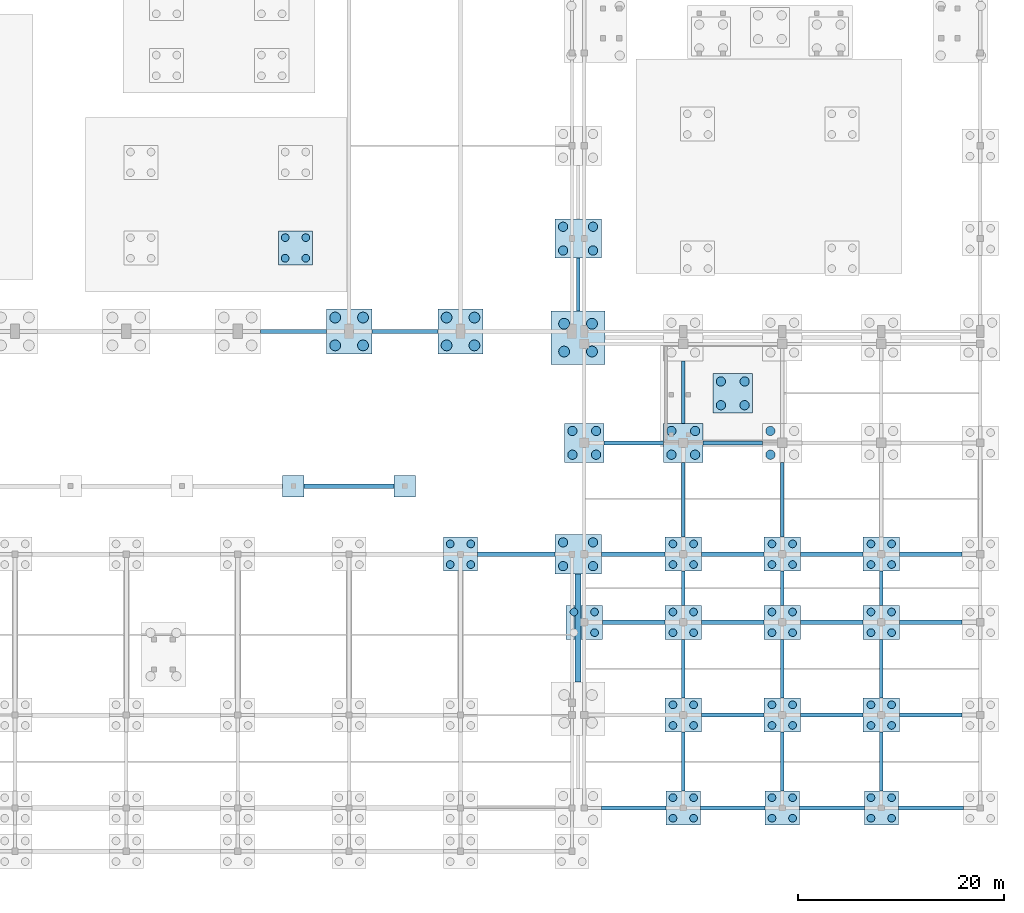
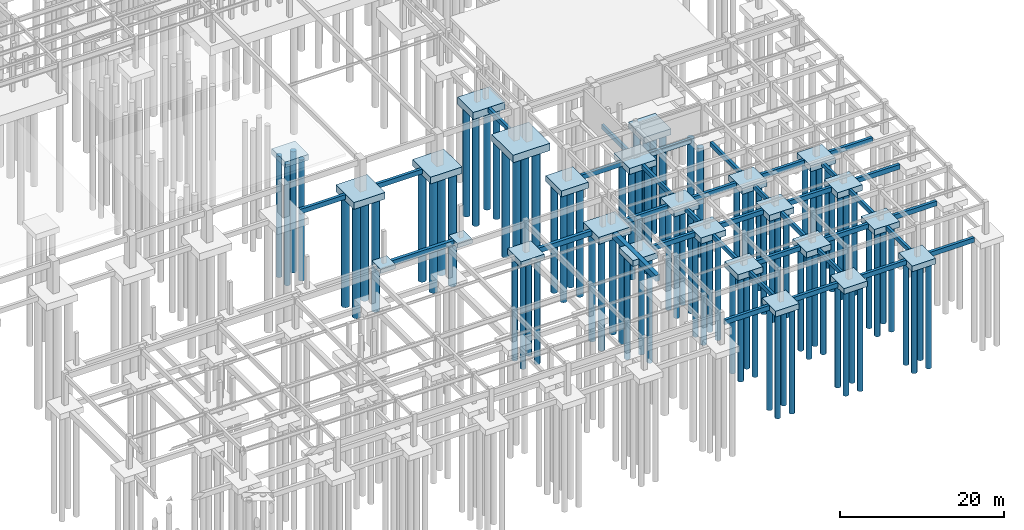
# One storey, part 8 of 33: 93 piles, 60 footings.
"""IFC4 building model written with IfcOpenShell, lengths in metres."""

from ifc_helpers import new_model, si_unit, direction, frame, origin, origin_2d, place, context, subcontext, project, spatial, rectangle, circle, extrude, material, material_profile, profile_set, type_object, element, save


model = new_model("IFC4")

# Units and contexts
model_context = context("Model", 3, precision=1e-05, world=origin(), true_north=direction((0.0, 1.0)))
body_context = subcontext(model_context, "Body", "Model", "MODEL_VIEW")
ifc_project = project(units=[si_unit("LENGTHUNIT", "METRE"), si_unit("AREAUNIT", "SQUARE_METRE"), si_unit("VOLUMEUNIT", "CUBIC_METRE"), si_unit("PLANEANGLEUNIT", "RADIAN"), si_unit("MASSUNIT", "GRAM", prefix="KILO")], contexts=[model_context])

# Site, building, storey
site_placement = place(None, origin())
site = spatial("IfcSite", under=ifc_project, at=site_placement, CompositionType="ELEMENT")
building_placement = place(site_placement, origin())
building = spatial("IfcBuilding", under=site, at=building_placement, Name="Suirenkawa Promenade Aquatics Centre", CompositionType="ELEMENT")
storey_placement = place(building_placement, frame((0.0, 0.0, -4.800048828125)))
storey = spatial("IfcBuildingStorey", under=building, at=storey_placement, Name="B1", CompositionType="ELEMENT", Elevation=-4.800048828125)

# Footings
ifc_material = material(Name="Concrete M35", Category="concrete")
footing_type_1 = type_object("IfcFootingType", Name="FT-GB-350x650", PredefinedType="FOOTING_BEAM", material=ifc_material)
footing_1_placement = place(storey_placement, frame((155.39990234375, 54.949951171875, -0.64990234375), z_axis=(0.0, 0.0, 1.0), x_axis=(0.0, 1.0, 0.0)))
element("IfcFooting", 1, at=footing_1_placement, inside=storey, type_object=footing_type_1, Name="Ground tie beam GB-06 GB-0286", PredefinedType="FOOTING_BEAM", context=body_context, shape_type="SweptSolid", body=[
    extrude(rectangle(XDim=5.10009765625, YDim=0.35009765625, at=origin_2d()), origin(), (0.0, 0.0, 1.0), 0.64990234375),
])
for number, where, z_axis, x_axis, name in (
    (2, (165.60009765625, 8.699951171875, -0.64990234375), (0.0, 0.0, 1.0), (0.0, 1.0, 0.0), "Ground tie beam GB-06 GB-0288"),
    (3, (165.60009765625, 17.699951171875, -0.64990234375), (0.0, 0.0, 1.0), (0.0, 1.0, 0.0), "Ground tie beam GB-06 GB-0289"),
):
    element("IfcFooting", number, at=place(storey_placement, frame(where, z_axis=z_axis, x_axis=x_axis)), inside=storey, type_object=footing_type_1, Name=name, PredefinedType="FOOTING_BEAM", context=body_context, shape_type="SweptSolid", body=[
        extrude(rectangle(XDim=5.699951171875, YDim=0.35009765625, at=origin_2d()), origin(), (0.0, 0.0, 1.0), 0.64990234375),
    ])
footing_2_placement = place(storey_placement, frame((165.60009765625, 25.5, -0.64990234375), z_axis=(0.0, 0.0, 1.0), x_axis=(0.0, 1.0, 0.0)))
element("IfcFooting", 4, at=footing_2_placement, inside=storey, type_object=footing_type_1, Name="Ground tie beam GB-06 GB-0290", PredefinedType="FOOTING_BEAM", context=body_context, shape_type="SweptSolid", body=[
    extrude(rectangle(XDim=3.300048828125, YDim=0.35009765625, at=origin_2d()), origin(), (0.0, 0.0, 1.0), 0.64990234375),
])
footing_3_placement = place(storey_placement, frame((165.60009765625, 34.074951171875, -0.64990234375), z_axis=(0.0, 0.0, 1.0), x_axis=(0.0, 1.0, 0.0)))
element("IfcFooting", 5, at=footing_3_placement, inside=storey, type_object=footing_type_1, Name="Ground tie beam GB-06 GB-0291", PredefinedType="FOOTING_BEAM", context=body_context, shape_type="SweptSolid", body=[
    extrude(rectangle(XDim=7.25, YDim=0.35009765625, at=origin_2d()), origin(), (0.0, 0.0, 1.0), 0.64990234375),
])
footing_4_placement = place(storey_placement, frame((165.60009765625, 44.52490234375, -0.64990234375), z_axis=(0.0, 0.0, 1.0), x_axis=(0.0, 1.0, 0.0)))
element("IfcFooting", 6, at=footing_4_placement, inside=storey, type_object=footing_type_1, Name="Ground tie beam GB-06 GB-0292", PredefinedType="FOOTING_BEAM", context=body_context, shape_type="SweptSolid", body=[
    extrude(rectangle(XDim=6.050048828125, YDim=0.35009765625, at=origin_2d()), origin(), (0.0, 0.0, 1.0), 0.64990234375),
])
for number, where, z_axis, x_axis, name in (
    (7, (175.199951171875, 8.699951171875, -0.64990234375), (0.0, 0.0, 1.0), (0.0, 1.0, 0.0), "Ground tie beam GB-06 GB-0294"),
    (8, (175.199951171875, 17.699951171875, -0.64990234375), (0.0, 0.0, 1.0), (0.0, 1.0, 0.0), "Ground tie beam GB-06 GB-0295"),
):
    element("IfcFooting", number, at=place(storey_placement, frame(where, z_axis=z_axis, x_axis=x_axis)), inside=storey, type_object=footing_type_1, Name=name, PredefinedType="FOOTING_BEAM", context=body_context, shape_type="SweptSolid", body=[
        extrude(rectangle(XDim=5.699951171875, YDim=0.35009765625, at=origin_2d()), origin(), (0.0, 0.0, 1.0), 0.64990234375),
    ])
footing_5_placement = place(storey_placement, frame((175.199951171875, 25.5, -0.64990234375), z_axis=(0.0, 0.0, 1.0), x_axis=(0.0, 1.0, 0.0)))
element("IfcFooting", 9, at=footing_5_placement, inside=storey, type_object=footing_type_1, Name="Ground tie beam GB-06 GB-0296", PredefinedType="FOOTING_BEAM", context=body_context, shape_type="SweptSolid", body=[
    extrude(rectangle(XDim=3.300048828125, YDim=0.35009765625, at=origin_2d()), origin(), (0.0, 0.0, 1.0), 0.64990234375),
])
footing_6_placement = place(storey_placement, frame((175.199951171875, 34.074951171875, -0.64990234375), z_axis=(0.0, 0.0, 1.0), x_axis=(0.0, 1.0, 0.0)))
element("IfcFooting", 10, at=footing_6_placement, inside=storey, type_object=footing_type_1, Name="Ground tie beam GB-06 GB-0297", PredefinedType="FOOTING_BEAM", context=body_context, shape_type="SweptSolid", body=[
    extrude(rectangle(XDim=7.25, YDim=0.35009765625, at=origin_2d()), origin(), (0.0, 0.0, 1.0), 0.64990234375),
])
for number, where, z_axis, x_axis, name in (
    (11, (184.800048828125, 8.699951171875, -0.64990234375), (0.0, 0.0, 1.0), (0.0, 1.0, 0.0), "Ground tie beam GB-06 GB-0300"),
    (12, (184.800048828125, 17.699951171875, -0.64990234375), (0.0, 0.0, 1.0), (0.0, 1.0, 0.0), "Ground tie beam GB-06 GB-0301"),
):
    element("IfcFooting", number, at=place(storey_placement, frame(where, z_axis=z_axis, x_axis=x_axis)), inside=storey, type_object=footing_type_1, Name=name, PredefinedType="FOOTING_BEAM", context=body_context, shape_type="SweptSolid", body=[
        extrude(rectangle(XDim=5.699951171875, YDim=0.35009765625, at=origin_2d()), origin(), (0.0, 0.0, 1.0), 0.64990234375),
    ])
footing_7_placement = place(storey_placement, frame((184.800048828125, 25.5, -0.64990234375), z_axis=(0.0, 0.0, 1.0), x_axis=(0.0, 1.0, 0.0)))
element("IfcFooting", 13, at=footing_7_placement, inside=storey, type_object=footing_type_1, Name="Ground tie beam GB-06 GB-0302", PredefinedType="FOOTING_BEAM", context=body_context, shape_type="SweptSolid", body=[
    extrude(rectangle(XDim=3.300048828125, YDim=0.35009765625, at=origin_2d()), origin(), (0.0, 0.0, 1.0), 0.64990234375),
])
footing_type_2 = type_object("IfcFootingType", Name="FT-GB-400x700", PredefinedType="FOOTING_BEAM", material=ifc_material)
for number, where, z_axis, x_axis, name in (
    (14, (160.800048828125, 4.199951171875, -0.69970703125), (0.0, 0.0, 1.0), (1.0, 0.0, 0.0), "Ground tie beam GB-01 GB-0025"),
    (15, (170.39990234375, 4.199951171875, -0.69970703125), (0.0, 0.0, 1.0), (1.0, 0.0, 0.0), "Ground tie beam GB-01 GB-0026"),
    (16, (180.0, 4.199951171875, -0.69970703125), (0.0, 0.0, 1.0), (1.0, 0.0, 0.0), "Ground tie beam GB-01 GB-0027"),
    (17, (189.60009765625, 4.199951171875, -0.69970703125), (0.0, 0.0, 1.0), (1.0, 0.0, 0.0), "Ground tie beam GB-01 GB-0028"),
):
    element("IfcFooting", number, at=place(storey_placement, frame(where, z_axis=z_axis, x_axis=x_axis)), inside=storey, type_object=footing_type_2, Name=name, PredefinedType="FOOTING_BEAM", context=body_context, shape_type="SweptSolid", body=[
        extrude(rectangle(XDim=6.300048828125, YDim=0.39990234375, at=origin_2d()), origin(), (0.0, 0.0, 1.0), 0.699951171875),
    ])
for number, where, z_axis, x_axis, name in (
    (18, (170.39990234375, 13.199951171875, -0.69970703125), (0.0, 0.0, 1.0), (1.0, 0.0, 0.0), "Ground tie beam GB-01 GB-0040"),
    (19, (180.0, 13.199951171875, -0.69970703125), (0.0, 0.0, 1.0), (1.0, 0.0, 0.0), "Ground tie beam GB-01 GB-0041"),
    (20, (189.60009765625, 13.199951171875, -0.69970703125), (0.0, 0.0, 1.0), (1.0, 0.0, 0.0), "Ground tie beam GB-01 GB-0042"),
    (21, (160.800048828125, 22.199951171875, -0.69970703125), (0.0, 0.0, 1.0), (1.0, 0.0, 0.0), "Ground tie beam GB-01 GB-0048"),
    (22, (170.39990234375, 22.199951171875, -0.69970703125), (0.0, 0.0, 1.0), (1.0, 0.0, 0.0), "Ground tie beam GB-01 GB-0049"),
    (23, (180.0, 22.199951171875, -0.69970703125), (0.0, 0.0, 1.0), (1.0, 0.0, 0.0), "Ground tie beam GB-01 GB-0050"),
    (24, (189.60009765625, 22.199951171875, -0.69970703125), (0.0, 0.0, 1.0), (1.0, 0.0, 0.0), "Ground tie beam GB-01 GB-0051"),
):
    element("IfcFooting", number, at=place(storey_placement, frame(where, z_axis=z_axis, x_axis=x_axis)), inside=storey, type_object=footing_type_2, Name=name, PredefinedType="FOOTING_BEAM", context=body_context, shape_type="SweptSolid", body=[
        extrude(rectangle(XDim=6.10009765625, YDim=0.39990234375, at=origin_2d()), origin(), (0.0, 0.0, 1.0), 0.699951171875),
    ])
footing_8_placement = place(storey_placement, frame((160.75, 28.800048828125, -0.69970703125), z_axis=(0.0, 0.0, 1.0), x_axis=(1.0, 0.0, 0.0)))
element("IfcFooting", 25, at=footing_8_placement, inside=storey, type_object=footing_type_2, Name="Ground tie beam GB-01 GB-0063", PredefinedType="FOOTING_BEAM", context=body_context, shape_type="SweptSolid", body=[
    extrude(rectangle(XDim=6.199951171875, YDim=0.39990234375, at=origin_2d()), origin(), (0.0, 0.0, 1.0), 0.699951171875),
])
for number, where, z_axis, x_axis, name in (
    (26, (170.39990234375, 28.800048828125, -0.69970703125), (0.0, 0.0, 1.0), (1.0, 0.0, 0.0), "Ground tie beam GB-01 GB-0064"),
    (27, (180.0, 28.800048828125, -0.69970703125), (0.0, 0.0, 1.0), (1.0, 0.0, 0.0), "Ground tie beam GB-01 GB-0065"),
    (28, (189.60009765625, 28.800048828125, -0.69970703125), (0.0, 0.0, 1.0), (1.0, 0.0, 0.0), "Ground tie beam GB-01 GB-0066"),
):
    element("IfcFooting", number, at=place(storey_placement, frame(where, z_axis=z_axis, x_axis=x_axis)), inside=storey, type_object=footing_type_2, Name=name, PredefinedType="FOOTING_BEAM", context=body_context, shape_type="SweptSolid", body=[
        extrude(rectangle(XDim=6.10009765625, YDim=0.39990234375, at=origin_2d()), origin(), (0.0, 0.0, 1.0), 0.699951171875),
    ])
for number, where, z_axis, x_axis, name in (
    (29, (160.800048828125, 39.60009765625, -0.69970703125), (0.0, 0.0, 1.0), (1.0, 0.0, 0.0), "Ground tie beam GB-01 GB-0077"),
    (30, (170.39990234375, 39.60009765625, -0.69970703125), (0.0, 0.0, 1.0), (1.0, 0.0, 0.0), "Ground tie beam GB-01 GB-0078"),
):
    element("IfcFooting", number, at=place(storey_placement, frame(where, z_axis=z_axis, x_axis=x_axis)), inside=storey, type_object=footing_type_2, Name=name, PredefinedType="FOOTING_BEAM", context=body_context, shape_type="SweptSolid", body=[
        extrude(rectangle(XDim=5.800048828125, YDim=0.39990234375, at=origin_2d()), origin(), (0.0, 0.0, 1.0), 0.699951171875),
    ])
for number, where, z_axis, x_axis, name in (
    (31, (127.800048828125, 50.39990234375, -0.69970703125), (0.0, 0.0, 1.0), (1.0, 0.0, 0.0), "Ground tie beam GB-01 GB-0094"),
    (32, (138.60009765625, 50.39990234375, -0.69970703125), (0.0, 0.0, 1.0), (1.0, 0.0, 0.0), "Ground tie beam GB-01 GB-0095"),
):
    element("IfcFooting", number, at=place(storey_placement, frame(where, z_axis=z_axis, x_axis=x_axis)), inside=storey, type_object=footing_type_2, Name=name, PredefinedType="FOOTING_BEAM", context=body_context, shape_type="SweptSolid", body=[
        extrude(rectangle(XDim=6.39990234375, YDim=0.39990234375, at=origin_2d()), origin(), (0.0, 0.0, 1.0), 0.699951171875),
    ])
footing_type_3 = type_object("IfcFootingType", Name="FT-GB-450x750", PredefinedType="FOOTING_BEAM", material=ifc_material)
footing_9_placement = place(storey_placement, frame((149.39990234375, 28.800048828125, -0.75), z_axis=(0.0, 0.0, 1.0), x_axis=(1.0, 0.0, 0.0)))
element("IfcFooting", 33, at=footing_9_placement, inside=storey, type_object=footing_type_3, Name="Ground tie beam GB-02 GB-0062", PredefinedType="FOOTING_BEAM", context=body_context, shape_type="SweptSolid", body=[
    extrude(rectangle(XDim=7.5, YDim=0.449951171875, at=origin_2d()), origin(), (0.0, 0.0, 1.0), 0.75),
])
footing_10_placement = place(storey_placement, frame((133.199951171875, 35.39990234375, -0.75), z_axis=(0.0, 0.0, 1.0), x_axis=(1.0, 0.0, 0.0)))
element("IfcFooting", 34, at=footing_10_placement, inside=storey, type_object=footing_type_3, Name="Ground tie beam GB-02 GB-0071", PredefinedType="FOOTING_BEAM", context=body_context, shape_type="SweptSolid", body=[
    extrude(rectangle(XDim=8.699951171875, YDim=0.449951171875, at=origin_2d()), origin(), (0.0, 0.0, 1.0), 0.75),
])
footing_type_4 = type_object("IfcFootingType", Name="FT-GB-600x900", PredefinedType="FOOTING_BEAM", material=ifc_material)
footing_11_placement = place(storey_placement, frame((155.39990234375, 21.64990234375, -0.89990234375), z_axis=(0.0, 0.0, 1.0), x_axis=(0.0, 1.0, 0.0)))
element("IfcFooting", 35, at=footing_11_placement, inside=storey, type_object=footing_type_4, Name="Ground tie beam GB-05 GB-0285", PredefinedType="FOOTING_BEAM", context=body_context, shape_type="SweptSolid", body=[
    extrude(rectangle(XDim=10.5, YDim=0.60009765625, at=origin_2d()), origin(), (0.0, 0.0, 1.0), 0.89990234375),
])
footing_type_5 = type_object("IfcFootingType", Name="FT-PAD-2100x2100x650", PredefinedType="PAD_FOOTING", material=ifc_material)
for number, where, z_axis, x_axis, name in (
    (36, (127.800048828125, 35.39990234375, -0.64990234375), (0.0, 0.0, 1.0), (1.0, 0.0, 0.0), "Foundation PF-02 CAP-086"),
    (37, (138.60009765625, 35.39990234375, -0.64990234375), (0.0, 0.0, 1.0), (1.0, 0.0, 0.0), "Foundation PF-02 CAP-087"),
):
    element("IfcFooting", number, at=place(storey_placement, frame(where, z_axis=z_axis, x_axis=x_axis)), inside=storey, type_object=footing_type_5, Name=name, PredefinedType="PAD_FOOTING", context=body_context, shape_type="SweptSolid", body=[
        extrude(rectangle(XDim=2.10009765625, YDim=2.10009765625, at=origin_2d()), origin(), (0.0, 0.0, 1.0), 0.64990234375),
    ])
footing_type_6 = type_object("IfcFootingType", Name="FT-PC-3300x3300x850", PredefinedType="PILE_CAP", material=ifc_material)
for number, where, z_axis, x_axis, name in (
    (38, (165.60009765625, 4.199951171875, -0.85009765625), (0.0, 0.0, 1.0), (1.0, 0.0, 0.0), "Foundation PC-02 CAP-029"),
    (39, (175.199951171875, 4.199951171875, -0.85009765625), (0.0, 0.0, 1.0), (1.0, 0.0, 0.0), "Foundation PC-02 CAP-030"),
    (40, (184.800048828125, 4.199951171875, -0.85009765625), (0.0, 0.0, 1.0), (1.0, 0.0, 0.0), "Foundation PC-02 CAP-031"),
    (41, (144.0, 28.800048828125, -0.85009765625), (0.0, 0.0, 1.0), (1.0, 0.0, 0.0), "Foundation PC-02 CAP-076"),
):
    element("IfcFooting", number, at=place(storey_placement, frame(where, z_axis=z_axis, x_axis=x_axis)), inside=storey, type_object=footing_type_6, Name=name, PredefinedType="PILE_CAP", context=body_context, shape_type="SweptSolid", body=[
        extrude(rectangle(XDim=3.300048828125, YDim=3.300048828125, at=origin_2d()), origin(), (0.0, 0.0, 1.0), 0.85009765625),
    ])
footing_type_7 = type_object("IfcFootingType", Name="FT-PC-3500x3300x880", PredefinedType="PILE_CAP", material=ifc_material)
for number, where, z_axis, x_axis, name in (
    (42, (165.60009765625, 13.199951171875, -0.8798828125), (0.0, 0.0, 1.0), (1.0, 0.0, 0.0), "Foundation PC-03 CAP-047"),
    (43, (175.199951171875, 13.199951171875, -0.8798828125), (0.0, 0.0, 1.0), (1.0, 0.0, 0.0), "Foundation PC-03 CAP-048"),
    (44, (184.800048828125, 13.199951171875, -0.8798828125), (0.0, 0.0, 1.0), (1.0, 0.0, 0.0), "Foundation PC-03 CAP-049"),
    (45, (156.0, 22.199951171875, -0.8798828125), (0.0, 0.0, 1.0), (1.0, 0.0, 0.0), "Foundation PC-03 CAP-059"),
    (46, (165.60009765625, 22.199951171875, -0.8798828125), (0.0, 0.0, 1.0), (1.0, 0.0, 0.0), "Foundation PC-03 CAP-060"),
    (47, (175.199951171875, 22.199951171875, -0.8798828125), (0.0, 0.0, 1.0), (1.0, 0.0, 0.0), "Foundation PC-03 CAP-061"),
    (48, (184.800048828125, 22.199951171875, -0.8798828125), (0.0, 0.0, 1.0), (1.0, 0.0, 0.0), "Foundation PC-03 CAP-062"),
    (49, (165.60009765625, 28.800048828125, -0.8798828125), (0.0, 0.0, 1.0), (1.0, 0.0, 0.0), "Foundation PC-03 CAP-078"),
    (50, (175.199951171875, 28.800048828125, -0.8798828125), (0.0, 0.0, 1.0), (1.0, 0.0, 0.0), "Foundation PC-03 CAP-079"),
    (51, (184.800048828125, 28.800048828125, -0.8798828125), (0.0, 0.0, 1.0), (1.0, 0.0, 0.0), "Foundation PC-03 CAP-080"),
):
    element("IfcFooting", number, at=place(storey_placement, frame(where, z_axis=z_axis, x_axis=x_axis)), inside=storey, type_object=footing_type_7, Name=name, PredefinedType="PILE_CAP", context=body_context, shape_type="SweptSolid", body=[
        extrude(rectangle(XDim=3.5, YDim=3.300048828125, at=origin_2d()), origin(), (0.0, 0.0, 1.0), 0.8798828125),
    ])
footing_type_8 = type_object("IfcFootingType", Name="FT-PC-3800x3800x900", PredefinedType="PILE_CAP", material=ifc_material)
for number, where, z_axis, x_axis, name in (
    (52, (156.0, 39.60009765625, -0.89990234375), (0.0, 0.0, 1.0), (1.0, 0.0, 0.0), "Foundation PC-04 CAP-094"),
    (53, (165.60009765625, 39.60009765625, -0.89990234375), (0.0, 0.0, 1.0), (1.0, 0.0, 0.0), "Foundation PC-04 CAP-095"),
    (54, (170.39990234375, 44.39990234375, -0.89990234375), (0.0, 0.0, 1.0), (1.0, 0.0, 0.0), "Foundation PC-04 CAP-247"),
):
    element("IfcFooting", number, at=place(storey_placement, frame(where, z_axis=z_axis, x_axis=x_axis)), inside=storey, type_object=footing_type_8, Name=name, PredefinedType="PILE_CAP", context=body_context, shape_type="SweptSolid", body=[
        extrude(rectangle(XDim=3.800048828125, YDim=3.800048828125, at=origin_2d()), origin(), (0.0, 0.0, 1.0), 0.89990234375),
    ])
footing_type_9 = type_object("IfcFootingType", Name="FT-PC-4400x4400x1000", PredefinedType="PILE_CAP", material=ifc_material)
for number, where, z_axis, x_axis, name in (
    (55, (133.199951171875, 50.39990234375, -1.0), (0.0, 0.0, 1.0), (1.0, 0.0, 0.0), "Foundation PC-06 CAP-117"),
    (56, (144.0, 50.39990234375, -1.0), (0.0, 0.0, 1.0), (1.0, 0.0, 0.0), "Foundation PC-06 CAP-118"),
):
    element("IfcFooting", number, at=place(storey_placement, frame(where, z_axis=z_axis, x_axis=x_axis)), inside=storey, type_object=footing_type_9, Name=name, PredefinedType="PILE_CAP", context=body_context, shape_type="SweptSolid", body=[
        extrude(rectangle(XDim=4.39990234375, YDim=4.39990234375, at=origin_2d()), origin(), (0.0, 0.0, 1.0), 1.0),
    ])
footing_type_10 = type_object("IfcFootingType", Name="FT-PC-TRAIN-3300x3300x850", PredefinedType="PILE_CAP", material=ifc_material)
footing_12_placement = place(storey_placement, frame((128.0, 58.5, 1.570068359375), z_axis=(0.0, 0.0, 1.0), x_axis=(1.0, 0.0, 0.0)))
element("IfcFooting", 57, at=footing_12_placement, inside=storey, type_object=footing_type_10, Name="Foundation PC-09 CAP-231", PredefinedType="PILE_CAP", context=body_context, shape_type="SweptSolid", body=[
    extrude(rectangle(XDim=3.300048828125, YDim=3.300048828125, at=origin_2d()), origin(), (0.0, 0.0, 1.0), 0.85009765625),
])
footing_type_11 = type_object("IfcFootingType", Name="FT-PCC-4500x3800x1050", PredefinedType="PILE_CAP", material=ifc_material)
for number, where, z_axis, x_axis, name in (
    (58, (155.39990234375, 28.800048828125, -1.0498046875), (0.0, 0.0, 1.0), (1.0, 0.0, 0.0), "Foundation PCC-01 CAP-077"),
    (59, (155.39990234375, 59.39990234375, -1.0498046875), (0.0, 0.0, 1.0), (1.0, 0.0, 0.0), "Foundation PCC-01 CAP-125"),
):
    element("IfcFooting", number, at=place(storey_placement, frame(where, z_axis=z_axis, x_axis=x_axis)), inside=storey, type_object=footing_type_11, Name=name, PredefinedType="PILE_CAP", context=body_context, shape_type="SweptSolid", body=[
        extrude(rectangle(XDim=4.5, YDim=3.800048828125, at=origin_2d()), origin(), (0.0, 0.0, 1.0), 1.050048828125),
    ])
footing_type_12 = type_object("IfcFootingType", Name="FT-PCC-5200x5200x1100", PredefinedType="PILE_CAP", material=ifc_material)
footing_13_placement = place(storey_placement, frame((155.39990234375, 49.800048828125, -1.10009765625), z_axis=(0.0, 0.0, 1.0), x_axis=(1.0, 0.0, 0.0)))
element("IfcFooting", 60, at=footing_13_placement, inside=storey, type_object=footing_type_12, Name="Foundation PCC-03 CAP-105", PredefinedType="PILE_CAP", context=body_context, shape_type="SweptSolid", body=[
    extrude(rectangle(XDim=5.199951171875, YDim=5.199951171875, at=origin_2d()), origin(), (0.0, 0.0, 1.0), 1.10009765625),
])

# Piles
ifc_material_profile_1 = material_profile(ifc_material, circle(Radius=0.52490234375, at=origin_2d()), Name="PILE D1050", Category="concrete")
ifc_profile_set_1 = profile_set([ifc_material_profile_1], Name="Concrete M35")
pile_type_1 = type_object("IfcPileType", Name="PT-BORED-1050", PredefinedType="BORED", material=ifc_profile_set_1)
for number, where, z_axis, x_axis, name in (
    (61, (154.050048828125, 48.449951171875, -0.89990234375), (0.0, 0.0, -1.0), (1.0, 0.0, 0.0), "Bored pile PL-04 PL-0377"),
    (62, (154.050048828125, 51.14990234375, -0.89990234375), (0.0, 0.0, -1.0), (1.0, 0.0, 0.0), "Bored pile PL-04 PL-0378"),
    (63, (156.75, 48.449951171875, -0.89990234375), (0.0, 0.0, -1.0), (1.0, 0.0, 0.0), "Bored pile PL-04 PL-0379"),
    (64, (156.75, 51.14990234375, -0.89990234375), (0.0, 0.0, -1.0), (1.0, 0.0, 0.0), "Bored pile PL-04 PL-0380"),
    (65, (131.85009765625, 49.050048828125, -0.89990234375), (0.0, 0.0, -1.0), (1.0, 0.0, 0.0), "Bored pile PL-04 PL-0425"),
    (66, (131.85009765625, 51.75, -0.89990234375), (0.0, 0.0, -1.0), (1.0, 0.0, 0.0), "Bored pile PL-04 PL-0426"),
    (67, (134.550048828125, 49.050048828125, -0.89990234375), (0.0, 0.0, -1.0), (1.0, 0.0, 0.0), "Bored pile PL-04 PL-0427"),
    (68, (134.550048828125, 51.75, -0.89990234375), (0.0, 0.0, -1.0), (1.0, 0.0, 0.0), "Bored pile PL-04 PL-0428"),
    (69, (142.64990234375, 49.050048828125, -0.89990234375), (0.0, 0.0, -1.0), (1.0, 0.0, 0.0), "Bored pile PL-04 PL-0429"),
    (70, (142.64990234375, 51.75, -0.89990234375), (0.0, 0.0, -1.0), (1.0, 0.0, 0.0), "Bored pile PL-04 PL-0430"),
    (71, (145.35009765625, 49.050048828125, -0.89990234375), (0.0, 0.0, -1.0), (1.0, 0.0, 0.0), "Bored pile PL-04 PL-0431"),
    (72, (145.35009765625, 51.75, -0.89990234375), (0.0, 0.0, -1.0), (1.0, 0.0, 0.0), "Bored pile PL-04 PL-0432"),
):
    element("IfcPile", number, at=place(storey_placement, frame(where, z_axis=z_axis, x_axis=x_axis)), inside=storey, type_object=pile_type_1, Name=name, PredefinedType="BORED", context=body_context, shape_type="SweptSolid", body=[
        extrude(circle(Radius=0.52490234375, at=origin_2d()), origin(), (0.0, 0.0, 1.0), 16.800048828125),
    ])
ifc_material_profile_2 = material_profile(ifc_material, circle(Radius=0.375, at=origin_2d()), Name="PILE D750", Category="concrete")
ifc_profile_set_2 = profile_set([ifc_material_profile_2], Name="Concrete M35")
pile_type_2 = type_object("IfcPileType", Name="PT-BORED-750", PredefinedType="BORED", material=ifc_profile_set_2)
for number, where, z_axis, x_axis, name in (
    (73, (164.60009765625, 3.199951171875, -0.75), (0.0, 0.0, -1.0), (1.0, 0.0, 0.0), "Bored pile PL-02 PL-0095"),
    (74, (164.60009765625, 5.199951171875, -0.75), (0.0, 0.0, -1.0), (1.0, 0.0, 0.0), "Bored pile PL-02 PL-0096"),
    (75, (166.60009765625, 3.199951171875, -0.75), (0.0, 0.0, -1.0), (1.0, 0.0, 0.0), "Bored pile PL-02 PL-0097"),
    (76, (166.60009765625, 5.199951171875, -0.75), (0.0, 0.0, -1.0), (1.0, 0.0, 0.0), "Bored pile PL-02 PL-0098"),
    (77, (174.199951171875, 3.199951171875, -0.75), (0.0, 0.0, -1.0), (1.0, 0.0, 0.0), "Bored pile PL-02 PL-0099"),
    (78, (174.199951171875, 5.199951171875, -0.75), (0.0, 0.0, -1.0), (1.0, 0.0, 0.0), "Bored pile PL-02 PL-0100"),
    (79, (176.199951171875, 3.199951171875, -0.75), (0.0, 0.0, -1.0), (1.0, 0.0, 0.0), "Bored pile PL-02 PL-0101"),
    (80, (176.199951171875, 5.199951171875, -0.75), (0.0, 0.0, -1.0), (1.0, 0.0, 0.0), "Bored pile PL-02 PL-0102"),
    (81, (183.800048828125, 3.199951171875, -0.75), (0.0, 0.0, -1.0), (1.0, 0.0, 0.0), "Bored pile PL-02 PL-0103"),
    (82, (183.800048828125, 5.199951171875, -0.75), (0.0, 0.0, -1.0), (1.0, 0.0, 0.0), "Bored pile PL-02 PL-0104"),
    (83, (185.800048828125, 3.199951171875, -0.75), (0.0, 0.0, -1.0), (1.0, 0.0, 0.0), "Bored pile PL-02 PL-0105"),
    (84, (185.800048828125, 5.199951171875, -0.75), (0.0, 0.0, -1.0), (1.0, 0.0, 0.0), "Bored pile PL-02 PL-0106"),
    (85, (164.60009765625, 12.199951171875, -0.75), (0.0, 0.0, -1.0), (1.0, 0.0, 0.0), "Bored pile PL-02 PL-0167"),
    (86, (164.60009765625, 14.199951171875, -0.75), (0.0, 0.0, -1.0), (1.0, 0.0, 0.0), "Bored pile PL-02 PL-0168"),
    (87, (166.60009765625, 12.199951171875, -0.75), (0.0, 0.0, -1.0), (1.0, 0.0, 0.0), "Bored pile PL-02 PL-0169"),
    (88, (166.60009765625, 14.199951171875, -0.75), (0.0, 0.0, -1.0), (1.0, 0.0, 0.0), "Bored pile PL-02 PL-0170"),
    (89, (174.199951171875, 12.199951171875, -0.75), (0.0, 0.0, -1.0), (1.0, 0.0, 0.0), "Bored pile PL-02 PL-0171"),
    (90, (174.199951171875, 14.199951171875, -0.75), (0.0, 0.0, -1.0), (1.0, 0.0, 0.0), "Bored pile PL-02 PL-0172"),
    (91, (176.199951171875, 12.199951171875, -0.75), (0.0, 0.0, -1.0), (1.0, 0.0, 0.0), "Bored pile PL-02 PL-0173"),
    (92, (176.199951171875, 14.199951171875, -0.75), (0.0, 0.0, -1.0), (1.0, 0.0, 0.0), "Bored pile PL-02 PL-0174"),
    (93, (183.800048828125, 12.199951171875, -0.75), (0.0, 0.0, -1.0), (1.0, 0.0, 0.0), "Bored pile PL-02 PL-0175"),
    (94, (183.800048828125, 14.199951171875, -0.75), (0.0, 0.0, -1.0), (1.0, 0.0, 0.0), "Bored pile PL-02 PL-0176"),
    (95, (185.800048828125, 12.199951171875, -0.75), (0.0, 0.0, -1.0), (1.0, 0.0, 0.0), "Bored pile PL-02 PL-0177"),
    (96, (185.800048828125, 14.199951171875, -0.75), (0.0, 0.0, -1.0), (1.0, 0.0, 0.0), "Bored pile PL-02 PL-0178"),
    (97, (155.0, 23.199951171875, -0.75), (0.0, 0.0, -1.0), (1.0, 0.0, 0.0), "Bored pile PL-02 PL-0216"),
    (98, (157.0, 21.199951171875, -0.75), (0.0, 0.0, -1.0), (1.0, 0.0, 0.0), "Bored pile PL-02 PL-0217"),
    (99, (157.0, 23.199951171875, -0.75), (0.0, 0.0, -1.0), (1.0, 0.0, 0.0), "Bored pile PL-02 PL-0218"),
    (100, (164.60009765625, 21.199951171875, -0.75), (0.0, 0.0, -1.0), (1.0, 0.0, 0.0), "Bored pile PL-02 PL-0219"),
    (101, (164.60009765625, 23.199951171875, -0.75), (0.0, 0.0, -1.0), (1.0, 0.0, 0.0), "Bored pile PL-02 PL-0220"),
    (102, (166.60009765625, 21.199951171875, -0.75), (0.0, 0.0, -1.0), (1.0, 0.0, 0.0), "Bored pile PL-02 PL-0221"),
    (103, (166.60009765625, 23.199951171875, -0.75), (0.0, 0.0, -1.0), (1.0, 0.0, 0.0), "Bored pile PL-02 PL-0222"),
    (104, (174.199951171875, 21.199951171875, -0.75), (0.0, 0.0, -1.0), (1.0, 0.0, 0.0), "Bored pile PL-02 PL-0223"),
    (105, (174.199951171875, 23.199951171875, -0.75), (0.0, 0.0, -1.0), (1.0, 0.0, 0.0), "Bored pile PL-02 PL-0224"),
    (106, (176.199951171875, 21.199951171875, -0.75), (0.0, 0.0, -1.0), (1.0, 0.0, 0.0), "Bored pile PL-02 PL-0225"),
    (107, (176.199951171875, 23.199951171875, -0.75), (0.0, 0.0, -1.0), (1.0, 0.0, 0.0), "Bored pile PL-02 PL-0226"),
    (108, (183.800048828125, 21.199951171875, -0.75), (0.0, 0.0, -1.0), (1.0, 0.0, 0.0), "Bored pile PL-02 PL-0227"),
    (109, (183.800048828125, 23.199951171875, -0.75), (0.0, 0.0, -1.0), (1.0, 0.0, 0.0), "Bored pile PL-02 PL-0228"),
    (110, (185.800048828125, 21.199951171875, -0.75), (0.0, 0.0, -1.0), (1.0, 0.0, 0.0), "Bored pile PL-02 PL-0229"),
    (111, (185.800048828125, 23.199951171875, -0.75), (0.0, 0.0, -1.0), (1.0, 0.0, 0.0), "Bored pile PL-02 PL-0230"),
    (112, (143.0, 27.800048828125, -0.75), (0.0, 0.0, -1.0), (1.0, 0.0, 0.0), "Bored pile PL-02 PL-0285"),
    (113, (143.0, 29.800048828125, -0.75), (0.0, 0.0, -1.0), (1.0, 0.0, 0.0), "Bored pile PL-02 PL-0286"),
    (114, (145.0, 27.800048828125, -0.75), (0.0, 0.0, -1.0), (1.0, 0.0, 0.0), "Bored pile PL-02 PL-0287"),
    (115, (145.0, 29.800048828125, -0.75), (0.0, 0.0, -1.0), (1.0, 0.0, 0.0), "Bored pile PL-02 PL-0288"),
    (116, (164.60009765625, 27.800048828125, -0.75), (0.0, 0.0, -1.0), (1.0, 0.0, 0.0), "Bored pile PL-02 PL-0293"),
    (117, (164.60009765625, 29.800048828125, -0.75), (0.0, 0.0, -1.0), (1.0, 0.0, 0.0), "Bored pile PL-02 PL-0294"),
    (118, (166.60009765625, 27.800048828125, -0.75), (0.0, 0.0, -1.0), (1.0, 0.0, 0.0), "Bored pile PL-02 PL-0295"),
    (119, (166.60009765625, 29.800048828125, -0.75), (0.0, 0.0, -1.0), (1.0, 0.0, 0.0), "Bored pile PL-02 PL-0296"),
    (120, (174.199951171875, 27.800048828125, -0.75), (0.0, 0.0, -1.0), (1.0, 0.0, 0.0), "Bored pile PL-02 PL-0297"),
    (121, (174.199951171875, 29.800048828125, -0.75), (0.0, 0.0, -1.0), (1.0, 0.0, 0.0), "Bored pile PL-02 PL-0298"),
    (122, (176.199951171875, 27.800048828125, -0.75), (0.0, 0.0, -1.0), (1.0, 0.0, 0.0), "Bored pile PL-02 PL-0299"),
    (123, (176.199951171875, 29.800048828125, -0.75), (0.0, 0.0, -1.0), (1.0, 0.0, 0.0), "Bored pile PL-02 PL-0300"),
    (124, (183.800048828125, 27.800048828125, -0.75), (0.0, 0.0, -1.0), (1.0, 0.0, 0.0), "Bored pile PL-02 PL-0301"),
    (125, (183.800048828125, 29.800048828125, -0.75), (0.0, 0.0, -1.0), (1.0, 0.0, 0.0), "Bored pile PL-02 PL-0302"),
    (126, (185.800048828125, 27.800048828125, -0.75), (0.0, 0.0, -1.0), (1.0, 0.0, 0.0), "Bored pile PL-02 PL-0303"),
    (127, (185.800048828125, 29.800048828125, -0.75), (0.0, 0.0, -1.0), (1.0, 0.0, 0.0), "Bored pile PL-02 PL-0304"),
):
    element("IfcPile", number, at=place(storey_placement, frame(where, z_axis=z_axis, x_axis=x_axis)), inside=storey, type_object=pile_type_2, Name=name, PredefinedType="BORED", context=body_context, shape_type="SweptSolid", body=[
        extrude(circle(Radius=0.375, at=origin_2d()), origin(), (0.0, 0.0, 1.0), 15.60009765625),
    ])
for number, where, z_axis, x_axis, name in (
    (128, (127.0, 57.5, 1.670166015625), (0.0, 0.0, -1.0), (1.0, 0.0, 0.0), "Bored pile PL-02 PL-0887"),
    (129, (127.0, 59.5, 1.670166015625), (0.0, 0.0, -1.0), (1.0, 0.0, 0.0), "Bored pile PL-02 PL-0888"),
    (130, (129.0, 57.5, 1.670166015625), (0.0, 0.0, -1.0), (1.0, 0.0, 0.0), "Bored pile PL-02 PL-0889"),
    (131, (129.0, 59.5, 1.670166015625), (0.0, 0.0, -1.0), (1.0, 0.0, 0.0), "Bored pile PL-02 PL-0890"),
):
    element("IfcPile", number, at=place(storey_placement, frame(where, z_axis=z_axis, x_axis=x_axis)), inside=storey, type_object=pile_type_2, Name=name, PredefinedType="BORED", context=body_context, shape_type="SweptSolid", body=[
        extrude(circle(Radius=0.375, at=origin_2d()), origin(), (0.0, 0.0, 1.0), 18.02001953125),
    ])
ifc_material_profile_3 = material_profile(ifc_material, circle(Radius=0.449951171875, at=origin_2d()), Name="PILE D900", Category="concrete")
ifc_profile_set_3 = profile_set([ifc_material_profile_3], Name="Concrete M35")
pile_type_3 = type_object("IfcPileType", Name="PT-BORED-900", PredefinedType="BORED", material=ifc_profile_set_3)
for number, where, z_axis, x_axis, name in (
    (132, (154.85009765625, 38.449951171875, -0.800048828125), (0.0, 0.0, -1.0), (1.0, 0.0, 0.0), "Bored pile PL-03 PL-0333"),
    (133, (154.85009765625, 40.75, -0.800048828125), (0.0, 0.0, -1.0), (1.0, 0.0, 0.0), "Bored pile PL-03 PL-0334"),
    (134, (157.14990234375, 38.449951171875, -0.800048828125), (0.0, 0.0, -1.0), (1.0, 0.0, 0.0), "Bored pile PL-03 PL-0335"),
    (135, (157.14990234375, 40.75, -0.800048828125), (0.0, 0.0, -1.0), (1.0, 0.0, 0.0), "Bored pile PL-03 PL-0336"),
    (136, (164.449951171875, 38.449951171875, -0.800048828125), (0.0, 0.0, -1.0), (1.0, 0.0, 0.0), "Bored pile PL-03 PL-0337"),
    (137, (164.449951171875, 40.75, -0.800048828125), (0.0, 0.0, -1.0), (1.0, 0.0, 0.0), "Bored pile PL-03 PL-0338"),
    (138, (166.75, 38.449951171875, -0.800048828125), (0.0, 0.0, -1.0), (1.0, 0.0, 0.0), "Bored pile PL-03 PL-0339"),
    (139, (166.75, 40.75, -0.800048828125), (0.0, 0.0, -1.0), (1.0, 0.0, 0.0), "Bored pile PL-03 PL-0340"),
    (140, (174.050048828125, 38.449951171875, -0.800048828125), (0.0, 0.0, -1.0), (1.0, 0.0, 0.0), "Bored pile PL-03 PL-0341"),
    (141, (174.050048828125, 40.75, -0.800048828125), (0.0, 0.0, -1.0), (1.0, 0.0, 0.0), "Bored pile PL-03 PL-0342"),
    (142, (169.25, 43.25, -0.800048828125), (0.0, 0.0, -1.0), (1.0, 0.0, 0.0), "Bored pile PL-03 PL-0951"),
    (143, (169.25, 45.550048828125, -0.800048828125), (0.0, 0.0, -1.0), (1.0, 0.0, 0.0), "Bored pile PL-03 PL-0952"),
    (144, (171.550048828125, 43.25, -0.800048828125), (0.0, 0.0, -1.0), (1.0, 0.0, 0.0), "Bored pile PL-03 PL-0953"),
    (145, (171.550048828125, 45.550048828125, -0.800048828125), (0.0, 0.0, -1.0), (1.0, 0.0, 0.0), "Bored pile PL-03 PL-0954"),
):
    element("IfcPile", number, at=place(storey_placement, frame(where, z_axis=z_axis, x_axis=x_axis)), inside=storey, type_object=pile_type_3, Name=name, PredefinedType="BORED", context=body_context, shape_type="SweptSolid", body=[
        extrude(circle(Radius=0.449951171875, at=origin_2d()), origin(), (0.0, 0.0, 1.0), 16.199951171875),
    ])
ifc_material_profile_4 = material_profile(ifc_material, circle(Radius=0.449951171875, at=origin_2d()), Name="PILE D900", Category="concrete")
ifc_profile_set_4 = profile_set([ifc_material_profile_4], Name="Concrete M35")
pile_type_4 = type_object("IfcPileType", Name="PT-BORED-900B", PredefinedType="BORED", material=ifc_profile_set_4)
for number, where, z_axis, x_axis, name in (
    (146, (153.949951171875, 27.64990234375, -0.949951171875), (0.0, 0.0, -1.0), (1.0, 0.0, 0.0), "Bored pile PL-03B PL-0289"),
    (147, (153.949951171875, 29.949951171875, -0.949951171875), (0.0, 0.0, -1.0), (1.0, 0.0, 0.0), "Bored pile PL-03B PL-0290"),
    (148, (156.85009765625, 27.64990234375, -0.949951171875), (0.0, 0.0, -1.0), (1.0, 0.0, 0.0), "Bored pile PL-03B PL-0291"),
    (149, (156.85009765625, 29.949951171875, -0.949951171875), (0.0, 0.0, -1.0), (1.0, 0.0, 0.0), "Bored pile PL-03B PL-0292"),
    (150, (153.949951171875, 58.25, -0.949951171875), (0.0, 0.0, -1.0), (1.0, 0.0, 0.0), "Bored pile PL-03B PL-0457"),
    (151, (153.949951171875, 60.550048828125, -0.949951171875), (0.0, 0.0, -1.0), (1.0, 0.0, 0.0), "Bored pile PL-03B PL-0458"),
    (152, (156.85009765625, 58.25, -0.949951171875), (0.0, 0.0, -1.0), (1.0, 0.0, 0.0), "Bored pile PL-03B PL-0459"),
    (153, (156.85009765625, 60.550048828125, -0.949951171875), (0.0, 0.0, -1.0), (1.0, 0.0, 0.0), "Bored pile PL-03B PL-0460"),
):
    element("IfcPile", number, at=place(storey_placement, frame(where, z_axis=z_axis, x_axis=x_axis)), inside=storey, type_object=pile_type_4, Name=name, PredefinedType="BORED", context=body_context, shape_type="SweptSolid", body=[
        extrude(circle(Radius=0.449951171875, at=origin_2d()), origin(), (0.0, 0.0, 1.0), 16.39990234375),
    ])

save(model, "model.ifc")
